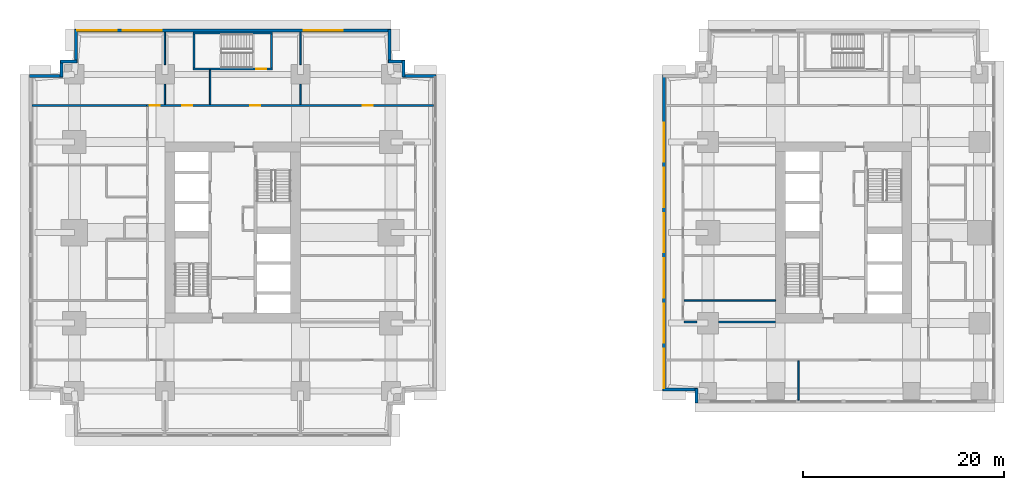
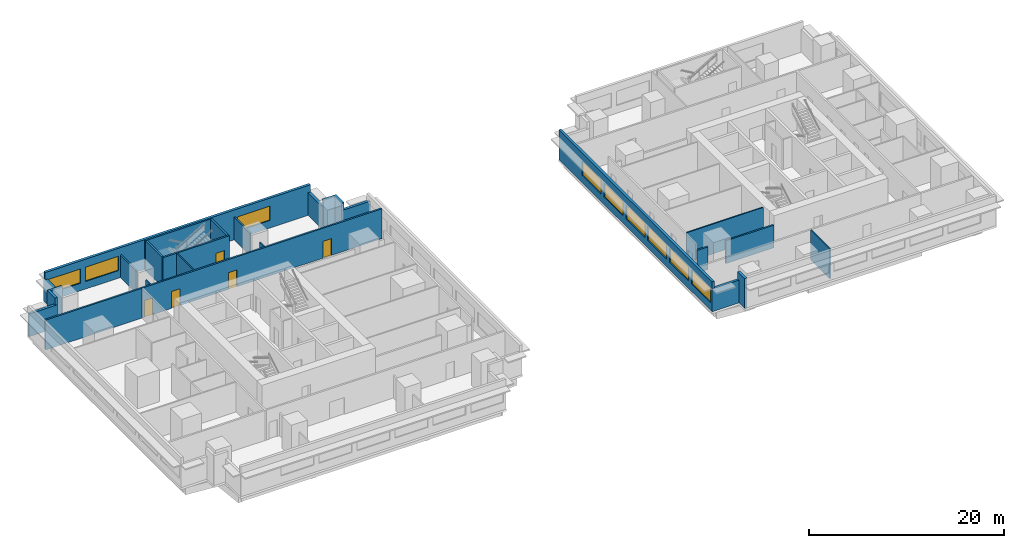
# One storey, part 5 of 11: 27 walls, 9 windows, 5 doors, 14 openings.
"""IFC4 building model written with IfcOpenShell, lengths in metres."""

from ifc_helpers import new_model, si_unit, direction, frame, frame_2d, origin, place, context, subcontext, project, spatial, rectangle, extrude, material, layer, layer_set, type_object, element, fill, save


model = new_model("IFC4")

# Units and contexts
model_context = context("Model", 3, precision=1e-05, world=origin(), true_north=direction((0.0, 1.0)))
body_context = subcontext(model_context, "Body", "Model", "MODEL_VIEW")
ifc_project = project(units=[si_unit("LENGTHUNIT", "METRE"), si_unit("AREAUNIT", "SQUARE_METRE"), si_unit("VOLUMEUNIT", "CUBIC_METRE"), si_unit("PLANEANGLEUNIT", "RADIAN"), si_unit("MASSUNIT", "GRAM", prefix="KILO")], contexts=[model_context])

# Site, building, storey
site_placement = place(None, origin())
site = spatial("IfcSite", under=ifc_project, at=site_placement, CompositionType="ELEMENT")
building_placement = place(site_placement, origin())
building = spatial("IfcBuilding", under=site, at=building_placement, Name="Namib Vertical Campus", CompositionType="ELEMENT")
storey_placement = place(building_placement, frame((0.0, 0.0, 93.0)))
storey = spatial("IfcBuildingStorey", under=building, at=storey_placement, Name="L21", CompositionType="ELEMENT", Elevation=93.0)

# Wall, openings, doors
ifc_material_1 = material(Name="Concrete masonry", Category="masonry")
ifc_layer_1 = layer(ifc_material_1, 0.199951171875)
ifc_layer_set_1 = layer_set([ifc_layer_1], Name="Corridor wall 200")
wall_type_1 = type_object("IfcWallType", Name="Corridor wall 200", PredefinedType="SOLIDWALL", material=ifc_layer_set_1)
wall_1_placement = place(storey_placement, frame((40.199951171875, 32.89990234375, 0.0), z_axis=(0.0, 0.0, 1.0), x_axis=(-1.0, 0.0, 0.0)))
wall_1 = element("IfcWall", 1, at=wall_1_placement, inside=storey, type_object=wall_type_1, Name="Corridor wall A L21 CN", PredefinedType="SOLIDWALL", context=body_context, shape_type="SweptSolid", body=[
    extrude(rectangle(XDim=28.5, YDim=0.199951171875, at=frame_2d((14.25, 0.0))), origin(), (0.0, 0.0, 1.0), 3.75),
])
opening_1_placement = place(wall_1_placement, frame((27.199951171875, 0.0, 0.0)))
opening_1 = element("IfcOpeningElement", 2, at=opening_1_placement, cuts=wall_1, Name="Opening CD1", PredefinedType="OPENING", context=body_context, shape_type="SweptSolid", body=[
    extrude(rectangle(XDim=1.0, YDim=2.10009765625, at=frame_2d((0.5, 1.050048828125))), frame((0.0, 0.10986328125, 0.0), z_axis=(0.0, -1.0, 0.0), x_axis=(1.0, 0.0, 0.0)), (0.0, 0.0, 1.0), 0.219970703125),
])
opening_2_placement = place(wall_1_placement, frame((23.949951171875, 0.0, 0.0)))
opening_2 = element("IfcOpeningElement", 3, at=opening_2_placement, cuts=wall_1, Name="Opening CD1", PredefinedType="OPENING", context=body_context, shape_type="SweptSolid", body=[
    extrude(rectangle(XDim=1.0, YDim=2.10009765625, at=frame_2d((0.5, 1.050048828125))), frame((0.0, 0.10986328125, 0.0), z_axis=(0.0, -1.0, 0.0), x_axis=(1.0, 0.0, 0.0)), (0.0, 0.0, 1.0), 0.219970703125),
])
opening_3_placement = place(wall_1_placement, frame((17.199951171875, 0.0, 0.0)))
opening_3 = element("IfcOpeningElement", 4, at=opening_3_placement, cuts=wall_1, Name="Opening CD1", PredefinedType="OPENING", context=body_context, shape_type="SweptSolid", body=[
    extrude(rectangle(XDim=1.0, YDim=2.10009765625, at=frame_2d((0.5, 1.050048828125))), frame((0.0, 0.10986328125, 0.0), z_axis=(0.0, -1.0, 0.0), x_axis=(1.0, 0.0, 0.0)), (0.0, 0.0, 1.0), 0.219970703125),
])
opening_4_placement = place(wall_1_placement, frame((6.0, 0.0, 0.0)))
opening_4 = element("IfcOpeningElement", 5, at=opening_4_placement, cuts=wall_1, Name="Opening CD1", PredefinedType="OPENING", context=body_context, shape_type="SweptSolid", body=[
    extrude(rectangle(XDim=1.0, YDim=2.10009765625, at=frame_2d((0.5, 1.050048828125))), frame((0.0, 0.10986328125, 0.0), z_axis=(0.0, -1.0, 0.0), x_axis=(1.0, 0.0, 0.0)), (0.0, 0.0, 1.0), 0.219970703125),
])
ifc_material_2 = material(Name="Timber fire door leaf", Category="wood")
door_type_1 = type_object("IfcDoorType", Name="Corridor door 1000x2100 20 min", OperationType="SINGLE_SWING_LEFT", PredefinedType="DOOR", material=ifc_material_2)
door_1_placement = place(opening_1_placement, frame((1.0, 0.0, 0.0), z_axis=(0.0, 0.0, 1.0), x_axis=(-1.0, 0.0, 0.0)))
door_1 = element("IfcDoor", 6, at=door_1_placement, inside=storey, type_object=door_type_1, Name="Door CD1 A21-09", OperationType="SINGLE_SWING_RIGHT", OverallHeight=2.10009765625, OverallWidth=1.0, PredefinedType="DOOR", context=body_context, shape_type="SweptSolid", body=[
    extrude(rectangle(XDim=1.0, YDim=2.10009765625, at=frame_2d((0.5, 1.050048828125))), frame((0.0, 0.02490234375, 0.0), z_axis=(0.0, -1.0, 0.0), x_axis=(1.0, 0.0, 0.0)), (0.0, 0.0, 1.0), 0.050048828125),
])
fill(opening_1, door_1)
door_2_placement = place(opening_2_placement, frame((1.0, 0.0, 0.0), z_axis=(0.0, 0.0, 1.0), x_axis=(-1.0, 0.0, 0.0)))
door_2 = element("IfcDoor", 7, at=door_2_placement, inside=storey, type_object=door_type_1, Name="Door CD1 A21-10", OperationType="SINGLE_SWING_RIGHT", OverallHeight=2.10009765625, OverallWidth=1.0, PredefinedType="DOOR", context=body_context, shape_type="SweptSolid", body=[
    extrude(rectangle(XDim=1.0, YDim=2.10009765625, at=frame_2d((0.5, 1.050048828125))), frame((0.0, 0.02490234375, 0.0), z_axis=(0.0, -1.0, 0.0), x_axis=(1.0, 0.0, 0.0)), (0.0, 0.0, 1.0), 0.050048828125),
])
fill(opening_2, door_2)
door_3_placement = place(opening_3_placement, frame((1.0, 0.0, 0.0), z_axis=(0.0, 0.0, 1.0), x_axis=(-1.0, 0.0, 0.0)))
door_3 = element("IfcDoor", 8, at=door_3_placement, inside=storey, type_object=door_type_1, Name="Door CD1 A21-11", OperationType="SINGLE_SWING_RIGHT", OverallHeight=2.10009765625, OverallWidth=1.0, PredefinedType="DOOR", context=body_context, shape_type="SweptSolid", body=[
    extrude(rectangle(XDim=1.0, YDim=2.10009765625, at=frame_2d((0.5, 1.050048828125))), frame((0.0, 0.02490234375, 0.0), z_axis=(0.0, -1.0, 0.0), x_axis=(1.0, 0.0, 0.0)), (0.0, 0.0, 1.0), 0.050048828125),
])
fill(opening_3, door_3)
door_4_placement = place(opening_4_placement, frame((1.0, 0.0, 0.0), z_axis=(0.0, 0.0, 1.0), x_axis=(-1.0, 0.0, 0.0)))
door_4 = element("IfcDoor", 9, at=door_4_placement, inside=storey, type_object=door_type_1, Name="Door CD1 A21-12", OperationType="SINGLE_SWING_LEFT", OverallHeight=2.10009765625, OverallWidth=1.0, PredefinedType="DOOR", context=body_context, shape_type="SweptSolid", body=[
    extrude(rectangle(XDim=1.0, YDim=2.10009765625, at=frame_2d((0.5, 1.050048828125))), frame((0.0, 0.02490234375, 0.0), z_axis=(0.0, -1.0, 0.0), x_axis=(1.0, 0.0, 0.0)), (0.0, 0.0, 1.0), 0.050048828125),
])
fill(opening_4, door_4)

# Walls
wall_2_placement = place(storey_placement, frame((0.300048828125, 32.89990234375, 0.0), z_axis=(0.0, 0.0, 1.0), x_axis=(1.0, 0.0, 0.0)))
element("IfcWall", 10, at=wall_2_placement, inside=storey, type_object=wall_type_1, Name="Partition A L21 BNW", PredefinedType="SOLIDWALL", context=body_context, shape_type="SweptSolid", body=[
    extrude(rectangle(XDim=11.39990234375, YDim=0.199951171875, at=frame_2d((5.699951171875, 0.0))), origin(), (0.0, 0.0, 1.0), 3.75),
])
wall_3_placement = place(storey_placement, frame((65.14990234375, 11.35009765625, 0.0), z_axis=(0.0, 0.0, 1.0), x_axis=(1.0, 0.0, 0.0)))
element("IfcWall", 11, at=wall_3_placement, inside=storey, type_object=wall_type_1, Name="Corridor wall B L21 GS", PredefinedType="SOLIDWALL", context=body_context, shape_type="SweptSolid", body=[
    extrude(rectangle(XDim=1.280029296875, YDim=0.199951171875, at=frame_2d((0.64013671875, 0.0))), origin(), (0.0, 0.0, 1.0), 2.85009765625),
])
wall_4_placement = place(storey_placement, frame((68.570068359375, 11.35009765625, 0.0), z_axis=(0.0, 0.0, 1.0), x_axis=(1.0, 0.0, 0.0)))
element("IfcWall", 12, at=wall_4_placement, inside=storey, type_object=wall_type_1, Name="Corridor wall B L21 GS", PredefinedType="SOLIDWALL", context=body_context, shape_type="SweptSolid", body=[
    extrude(rectangle(XDim=5.679931640625, YDim=0.199951171875, at=frame_2d((2.83984375, 0.0))), origin(), (0.0, 0.0, 1.0), 2.85009765625),
])
ifc_material_3 = material(Name="Concrete C40/50", Category="concrete")
ifc_layer_2 = layer(ifc_material_3, 0.300048828125)
ifc_layer_set_2 = layer_set([ifc_layer_2], Name="Concrete C40/50")
wall_type_2 = type_object("IfcWallType", Name="External wall 300 board-marked concrete", PredefinedType="STANDARD", material=ifc_layer_set_2)
wall_5_placement = place(storey_placement, frame((40.47998046875, 35.85009765625, 0.0), z_axis=(0.0, 0.0, 1.0), x_axis=(-1.0, 0.0, 0.0)))
element("IfcWall", 13, at=wall_5_placement, inside=storey, type_object=wall_type_2, Name="External wall L21 F07", PredefinedType="STANDARD", context=body_context, shape_type="SweptSolid", body=[
    extrude(rectangle(XDim=3.35986328125, YDim=0.300048828125, at=frame_2d((1.679931640625, 0.0))), origin(), (0.0, 0.0, 1.0), 2.85009765625),
])
for number, where, z_axis, x_axis, name in (
    (14, (37.25, 35.719970703125, 0.0), (0.0, 0.0, 1.0), (0.0, 1.0, 0.0), "External wall L21 F08"),
    (15, (37.3798828125, 37.25, 0.0), (0.0, 0.0, 1.0), (-1.0, 0.0, 0.0), "External wall L21 F09"),
):
    element("IfcWall", number, at=place(storey_placement, frame(where, z_axis=z_axis, x_axis=x_axis)), inside=storey, type_object=wall_type_2, Name=name, PredefinedType="STANDARD", context=body_context, shape_type="SweptSolid", body=[
        extrude(rectangle(XDim=1.659912109375, YDim=0.300048828125, at=frame_2d((0.830078125, 0.0))), origin(), (0.0, 0.0, 1.0), 3.75),
    ])
wall_6_placement = place(storey_placement, frame((35.85009765625, 37.1201171875, 0.0), z_axis=(0.0, 0.0, 1.0), x_axis=(0.0, 1.0, 0.0)))
element("IfcWall", 16, at=wall_6_placement, inside=storey, type_object=wall_type_2, Name="External wall L21 F10", PredefinedType="STANDARD", context=body_context, shape_type="SweptSolid", body=[
    extrude(rectangle(XDim=3.35986328125, YDim=0.300048828125, at=frame_2d((1.679931640625, 0.0))), origin(), (0.0, 0.0, 1.0), 2.85009765625),
])

# Wall, openings, windows
wall_7_placement = place(storey_placement, frame((35.97998046875, 40.35009765625, 0.0), z_axis=(0.0, 0.0, 1.0), x_axis=(-1.0, 0.0, 0.0)))
wall_7 = element("IfcWall", 17, at=wall_7_placement, inside=storey, type_object=wall_type_2, Name="External wall L21 F11", PredefinedType="STANDARD", context=body_context, shape_type="SweptSolid", body=[
    extrude(rectangle(XDim=31.4599609375, YDim=0.300048828125, at=frame_2d((15.72998046875, 0.0))), origin(), (0.0, 0.0, 1.0), 3.75),
])
opening_5_placement = place(wall_7_placement, frame((27.280029296875, 0.0, 0.949951171875)))
opening_5 = element("IfcOpeningElement", 18, at=opening_5_placement, cuts=wall_7, Name="Opening W3", PredefinedType="OPENING", context=body_context, shape_type="SweptSolid", body=[
    extrude(rectangle(XDim=3.89990234375, YDim=1.800048828125, at=frame_2d((1.949951171875, 0.89990234375))), frame((0.0, 0.159912109375, 0.0), z_axis=(0.0, -1.0, 0.0), x_axis=(1.0, 0.0, 0.0)), (0.0, 0.0, 1.0), 0.320068359375),
])
opening_6_placement = place(wall_7_placement, frame((22.780029296875, 0.0, 0.949951171875)))
opening_6 = element("IfcOpeningElement", 19, at=opening_6_placement, cuts=wall_7, Name="Opening W3", PredefinedType="OPENING", context=body_context, shape_type="SweptSolid", body=[
    extrude(rectangle(XDim=3.89990234375, YDim=1.800048828125, at=frame_2d((1.949951171875, 0.89990234375))), frame((0.0, 0.159912109375, 0.0), z_axis=(0.0, -1.0, 0.0), x_axis=(1.0, 0.0, 0.0)), (0.0, 0.0, 1.0), 0.320068359375),
])
opening_7_placement = place(wall_7_placement, frame((4.780029296875, 0.0, 0.949951171875)))
opening_7 = element("IfcOpeningElement", 20, at=opening_7_placement, cuts=wall_7, Name="Opening W3", PredefinedType="OPENING", context=body_context, shape_type="SweptSolid", body=[
    extrude(rectangle(XDim=3.89990234375, YDim=1.800048828125, at=frame_2d((1.949951171875, 0.89990234375))), frame((0.0, 0.159912109375, 0.0), z_axis=(0.0, -1.0, 0.0), x_axis=(1.0, 0.0, 0.0)), (0.0, 0.0, 1.0), 0.320068359375),
])
ifc_material_4 = material(Name="Dark tinted glass in black aluminium frame", Category="aluminium")
window_type = type_object("IfcWindowType", Name="Ribbon window 3900x1800", PartitioningType="SINGLE_PANEL", PredefinedType="WINDOW", material=ifc_material_4)
window_1_placement = place(opening_5_placement, origin())
window_1 = element("IfcWindow", 21, at=window_1_placement, inside=storey, type_object=window_type, Name="Window W3 L21 F11-1", OverallHeight=1.800048828125, OverallWidth=3.89990234375, PartitioningType="SINGLE_PANEL", PredefinedType="WINDOW", context=body_context, shape_type="SweptSolid", body=[
    extrude(rectangle(XDim=3.89990234375, YDim=1.800048828125, at=frame_2d((1.949951171875, 0.89990234375))), frame((0.0, 0.030029296875, 0.0), z_axis=(0.0, -1.0, 0.0), x_axis=(1.0, 0.0, 0.0)), (0.0, 0.0, 1.0), 0.06005859375),
])
fill(opening_5, window_1)
window_2_placement = place(opening_6_placement, origin())
window_2 = element("IfcWindow", 22, at=window_2_placement, inside=storey, type_object=window_type, Name="Window W3 L21 F11-2", OverallHeight=1.800048828125, OverallWidth=3.89990234375, PartitioningType="SINGLE_PANEL", PredefinedType="WINDOW", context=body_context, shape_type="SweptSolid", body=[
    extrude(rectangle(XDim=3.89990234375, YDim=1.800048828125, at=frame_2d((1.949951171875, 0.89990234375))), frame((0.0, 0.030029296875, 0.0), z_axis=(0.0, -1.0, 0.0), x_axis=(1.0, 0.0, 0.0)), (0.0, 0.0, 1.0), 0.06005859375),
])
fill(opening_6, window_2)
window_3_placement = place(opening_7_placement, origin())
window_3 = element("IfcWindow", 23, at=window_3_placement, inside=storey, type_object=window_type, Name="Window W3 L21 F11-6", OverallHeight=1.800048828125, OverallWidth=3.89990234375, PartitioningType="SINGLE_PANEL", PredefinedType="WINDOW", context=body_context, shape_type="SweptSolid", body=[
    extrude(rectangle(XDim=3.89990234375, YDim=1.800048828125, at=frame_2d((1.949951171875, 0.89990234375))), frame((0.0, 0.030029296875, 0.0), z_axis=(0.0, -1.0, 0.0), x_axis=(1.0, 0.0, 0.0)), (0.0, 0.0, 1.0), 0.06005859375),
])
fill(opening_7, window_3)

# Walls
wall_8_placement = place(storey_placement, frame((4.64990234375, 40.47998046875, 0.0), z_axis=(0.0, 0.0, 1.0), x_axis=(0.0, -1.0, 0.0)))
element("IfcWall", 24, at=wall_8_placement, inside=storey, type_object=wall_type_2, Name="External wall L21 F12", PredefinedType="STANDARD", context=body_context, shape_type="SweptSolid", body=[
    extrude(rectangle(XDim=3.35986328125, YDim=0.300048828125, at=frame_2d((1.679931640625, 0.0))), origin(), (0.0, 0.0, 1.0), 2.85009765625),
])
for number, where, z_axis, x_axis, name in (
    (25, (4.780029296875, 37.25, 0.0), (0.0, 0.0, 1.0), (-1.0, 0.0, 0.0), "External wall L21 F13"),
    (26, (3.25, 37.3798828125, 0.0), (0.0, 0.0, 1.0), (0.0, -1.0, 0.0), "External wall L21 F14"),
):
    element("IfcWall", number, at=place(storey_placement, frame(where, z_axis=z_axis, x_axis=x_axis)), inside=storey, type_object=wall_type_2, Name=name, PredefinedType="STANDARD", context=body_context, shape_type="SweptSolid", body=[
        extrude(rectangle(XDim=1.659912109375, YDim=0.300048828125, at=frame_2d((0.830078125, 0.0))), origin(), (0.0, 0.0, 1.0), 3.75),
    ])
wall_9_placement = place(storey_placement, frame((3.3798828125, 35.85009765625, 0.0), z_axis=(0.0, 0.0, 1.0), x_axis=(-1.0, 0.0, 0.0)))
element("IfcWall", 27, at=wall_9_placement, inside=storey, type_object=wall_type_2, Name="External wall L21 F15", PredefinedType="STANDARD", context=body_context, shape_type="SweptSolid", body=[
    extrude(rectangle(XDim=3.35986328125, YDim=0.300048828125, at=frame_2d((1.679931640625, 0.0))), origin(), (0.0, 0.0, 1.0), 2.85009765625),
])
wall_10_placement = place(storey_placement, frame((63.02001953125, 4.64990234375, 0.0), z_axis=(0.0, 0.0, 1.0), x_axis=(1.0, 0.0, 0.0)))
element("IfcWall", 28, at=wall_10_placement, inside=storey, type_object=wall_type_2, Name="External wall L21 F01", PredefinedType="STANDARD", context=body_context, shape_type="SweptSolid", body=[
    extrude(rectangle(XDim=3.4599609375, YDim=0.300048828125, at=frame_2d((1.72998046875, 0.0))), origin(), (0.0, 0.0, 1.0), 2.85009765625),
])
wall_11_placement = place(storey_placement, frame((66.35009765625, 4.780029296875, 0.0), z_axis=(0.0, 0.0, 1.0), x_axis=(0.0, -1.0, 0.0)))
element("IfcWall", 29, at=wall_11_placement, inside=storey, type_object=wall_type_2, Name="External wall L21 F02", PredefinedType="STANDARD", context=body_context, shape_type="SweptSolid", body=[
    extrude(rectangle(XDim=1.4599609375, YDim=0.300048828125, at=frame_2d((0.72998046875, 0.0))), origin(), (0.0, 0.0, 1.0), 3.75),
])

# Wall, openings, windows
wall_12_placement = place(storey_placement, frame((63.14990234375, 35.97998046875, 0.0), z_axis=(0.0, 0.0, 1.0), x_axis=(0.0, -1.0, 0.0)))
wall_12 = element("IfcWall", 30, at=wall_12_placement, inside=storey, type_object=wall_type_2, Name="External wall L21 F12", PredefinedType="STANDARD", context=body_context, shape_type="SweptSolid", body=[
    extrude(rectangle(XDim=31.4599609375, YDim=0.300048828125, at=frame_2d((15.72998046875, 0.0))), origin(), (0.0, 0.0, 1.0), 3.75),
])
opening_8_placement = place(wall_12_placement, frame((27.280029296875, 0.0, 0.949951171875)))
opening_8 = element("IfcOpeningElement", 31, at=opening_8_placement, cuts=wall_12, Name="Opening W3", PredefinedType="OPENING", context=body_context, shape_type="SweptSolid", body=[
    extrude(rectangle(XDim=3.89990234375, YDim=1.800048828125, at=frame_2d((1.949951171875, 0.89990234375))), frame((0.0, 0.159912109375, 0.0), z_axis=(0.0, -1.0, 0.0), x_axis=(1.0, 0.0, 0.0)), (0.0, 0.0, 1.0), 0.320068359375),
])
opening_9_placement = place(wall_12_placement, frame((22.780029296875, 0.0, 0.949951171875)))
opening_9 = element("IfcOpeningElement", 32, at=opening_9_placement, cuts=wall_12, Name="Opening W3", PredefinedType="OPENING", context=body_context, shape_type="SweptSolid", body=[
    extrude(rectangle(XDim=3.89990234375, YDim=1.800048828125, at=frame_2d((1.949951171875, 0.89990234375))), frame((0.0, 0.159912109375, 0.0), z_axis=(0.0, -1.0, 0.0), x_axis=(1.0, 0.0, 0.0)), (0.0, 0.0, 1.0), 0.320068359375),
])
opening_10_placement = place(wall_12_placement, frame((18.280029296875, 0.0, 0.949951171875)))
opening_10 = element("IfcOpeningElement", 33, at=opening_10_placement, cuts=wall_12, Name="Opening W3", PredefinedType="OPENING", context=body_context, shape_type="SweptSolid", body=[
    extrude(rectangle(XDim=3.89990234375, YDim=1.800048828125, at=frame_2d((1.949951171875, 0.89990234375))), frame((0.0, 0.159912109375, 0.0), z_axis=(0.0, -1.0, 0.0), x_axis=(1.0, 0.0, 0.0)), (0.0, 0.0, 1.0), 0.320068359375),
])
opening_11_placement = place(wall_12_placement, frame((13.780029296875, 0.0, 0.949951171875)))
opening_11 = element("IfcOpeningElement", 34, at=opening_11_placement, cuts=wall_12, Name="Opening W3", PredefinedType="OPENING", context=body_context, shape_type="SweptSolid", body=[
    extrude(rectangle(XDim=3.89990234375, YDim=1.800048828125, at=frame_2d((1.949951171875, 0.89990234375))), frame((0.0, 0.159912109375, 0.0), z_axis=(0.0, -1.0, 0.0), x_axis=(1.0, 0.0, 0.0)), (0.0, 0.0, 1.0), 0.320068359375),
])
opening_12_placement = place(wall_12_placement, frame((9.280029296875, 0.0, 0.949951171875)))
opening_12 = element("IfcOpeningElement", 35, at=opening_12_placement, cuts=wall_12, Name="Opening W3", PredefinedType="OPENING", context=body_context, shape_type="SweptSolid", body=[
    extrude(rectangle(XDim=3.89990234375, YDim=1.800048828125, at=frame_2d((1.949951171875, 0.89990234375))), frame((0.0, 0.159912109375, 0.0), z_axis=(0.0, -1.0, 0.0), x_axis=(1.0, 0.0, 0.0)), (0.0, 0.0, 1.0), 0.320068359375),
])
opening_13_placement = place(wall_12_placement, frame((4.780029296875, 0.0, 0.949951171875)))
opening_13 = element("IfcOpeningElement", 36, at=opening_13_placement, cuts=wall_12, Name="Opening W3", PredefinedType="OPENING", context=body_context, shape_type="SweptSolid", body=[
    extrude(rectangle(XDim=3.89990234375, YDim=1.800048828125, at=frame_2d((1.949951171875, 0.89990234375))), frame((0.0, 0.159912109375, 0.0), z_axis=(0.0, -1.0, 0.0), x_axis=(1.0, 0.0, 0.0)), (0.0, 0.0, 1.0), 0.320068359375),
])
window_4_placement = place(opening_8_placement, origin())
window_4 = element("IfcWindow", 37, at=window_4_placement, inside=storey, type_object=window_type, Name="Window W3 L21 F12-1", OverallHeight=1.800048828125, OverallWidth=3.89990234375, PartitioningType="SINGLE_PANEL", PredefinedType="WINDOW", context=body_context, shape_type="SweptSolid", body=[
    extrude(rectangle(XDim=3.89990234375, YDim=1.800048828125, at=frame_2d((1.949951171875, 0.89990234375))), frame((0.0, 0.030029296875, 0.0), z_axis=(0.0, -1.0, 0.0), x_axis=(1.0, 0.0, 0.0)), (0.0, 0.0, 1.0), 0.06005859375),
])
fill(opening_8, window_4)
window_5_placement = place(opening_9_placement, origin())
window_5 = element("IfcWindow", 38, at=window_5_placement, inside=storey, type_object=window_type, Name="Window W3 L21 F12-2", OverallHeight=1.800048828125, OverallWidth=3.89990234375, PartitioningType="SINGLE_PANEL", PredefinedType="WINDOW", context=body_context, shape_type="SweptSolid", body=[
    extrude(rectangle(XDim=3.89990234375, YDim=1.800048828125, at=frame_2d((1.949951171875, 0.89990234375))), frame((0.0, 0.030029296875, 0.0), z_axis=(0.0, -1.0, 0.0), x_axis=(1.0, 0.0, 0.0)), (0.0, 0.0, 1.0), 0.06005859375),
])
fill(opening_9, window_5)
window_6_placement = place(opening_10_placement, origin())
window_6 = element("IfcWindow", 39, at=window_6_placement, inside=storey, type_object=window_type, Name="Window W3 L21 F12-3", OverallHeight=1.800048828125, OverallWidth=3.89990234375, PartitioningType="SINGLE_PANEL", PredefinedType="WINDOW", context=body_context, shape_type="SweptSolid", body=[
    extrude(rectangle(XDim=3.89990234375, YDim=1.800048828125, at=frame_2d((1.949951171875, 0.89990234375))), frame((0.0, 0.030029296875, 0.0), z_axis=(0.0, -1.0, 0.0), x_axis=(1.0, 0.0, 0.0)), (0.0, 0.0, 1.0), 0.06005859375),
])
fill(opening_10, window_6)
window_7_placement = place(opening_11_placement, origin())
window_7 = element("IfcWindow", 40, at=window_7_placement, inside=storey, type_object=window_type, Name="Window W3 L21 F12-4", OverallHeight=1.800048828125, OverallWidth=3.89990234375, PartitioningType="SINGLE_PANEL", PredefinedType="WINDOW", context=body_context, shape_type="SweptSolid", body=[
    extrude(rectangle(XDim=3.89990234375, YDim=1.800048828125, at=frame_2d((1.949951171875, 0.89990234375))), frame((0.0, 0.030029296875, 0.0), z_axis=(0.0, -1.0, 0.0), x_axis=(1.0, 0.0, 0.0)), (0.0, 0.0, 1.0), 0.06005859375),
])
fill(opening_11, window_7)
window_8_placement = place(opening_12_placement, origin())
window_8 = element("IfcWindow", 41, at=window_8_placement, inside=storey, type_object=window_type, Name="Window W3 L21 F12-5", OverallHeight=1.800048828125, OverallWidth=3.89990234375, PartitioningType="SINGLE_PANEL", PredefinedType="WINDOW", context=body_context, shape_type="SweptSolid", body=[
    extrude(rectangle(XDim=3.89990234375, YDim=1.800048828125, at=frame_2d((1.949951171875, 0.89990234375))), frame((0.0, 0.030029296875, 0.0), z_axis=(0.0, -1.0, 0.0), x_axis=(1.0, 0.0, 0.0)), (0.0, 0.0, 1.0), 0.06005859375),
])
fill(opening_12, window_8)
window_9_placement = place(opening_13_placement, origin())
window_9 = element("IfcWindow", 42, at=window_9_placement, inside=storey, type_object=window_type, Name="Window W3 L21 F12-6", OverallHeight=1.800048828125, OverallWidth=3.89990234375, PartitioningType="SINGLE_PANEL", PredefinedType="WINDOW", context=body_context, shape_type="SweptSolid", body=[
    extrude(rectangle(XDim=3.89990234375, YDim=1.800048828125, at=frame_2d((1.949951171875, 0.89990234375))), frame((0.0, 0.030029296875, 0.0), z_axis=(0.0, -1.0, 0.0), x_axis=(1.0, 0.0, 0.0)), (0.0, 0.0, 1.0), 0.06005859375),
])
fill(opening_13, window_9)

# Walls
ifc_material_5 = material(Name="Gypsum board on steel studs", Category="steel")
ifc_layer_3 = layer(ifc_material_5, 0.14990234375)
ifc_layer_set_3 = layer_set([ifc_layer_3], Name="Gypsum board on steel studs")
wall_type_3 = type_object("IfcWallType", Name="Partition 150", PredefinedType="PARTITIONING", material=ifc_layer_set_3)
wall_13_placement = place(storey_placement, frame((13.5, 33.0, 0.0), z_axis=(0.0, 0.0, 1.0), x_axis=(0.0, 1.0, 0.0)))
element("IfcWall", 43, at=wall_13_placement, inside=storey, type_object=wall_type_3, Name="Partition A L21 PN1", PredefinedType="PARTITIONING", context=body_context, shape_type="SweptSolid", body=[
    extrude(rectangle(XDim=2.030029296875, YDim=0.14990234375, at=frame_2d((1.01513671875, 0.0))), origin(), (0.0, 0.0, 1.0), 2.85009765625),
])
wall_14_placement = place(storey_placement, frame((13.5, 36.969970703125, 0.0), z_axis=(0.0, 0.0, 1.0), x_axis=(0.0, 1.0, 0.0)))
element("IfcWall", 44, at=wall_14_placement, inside=storey, type_object=wall_type_3, Name="Partition A L21 PN1", PredefinedType="PARTITIONING", context=body_context, shape_type="SweptSolid", body=[
    extrude(rectangle(XDim=3.22998046875, YDim=0.14990234375, at=frame_2d((1.614990234375, 0.0))), origin(), (0.0, 0.0, 1.0), 2.85009765625),
])
wall_15_placement = place(storey_placement, frame((18.0, 33.0, 0.0), z_axis=(0.0, 0.0, 1.0), x_axis=(0.0, 1.0, 0.0)))
element("IfcWall", 45, at=wall_15_placement, inside=storey, type_object=wall_type_3, Name="Partition A L21 PN2", PredefinedType="PARTITIONING", context=body_context, shape_type="SweptSolid", body=[
    extrude(rectangle(XDim=3.449951171875, YDim=0.14990234375, at=frame_2d((1.72509765625, 0.0))), origin(), (0.0, 0.0, 1.0), 3.75),
])
wall_16_placement = place(storey_placement, frame((27.0, 33.0, 0.0), z_axis=(0.0, 0.0, 1.0), x_axis=(0.0, 1.0, 0.0)))
element("IfcWall", 46, at=wall_16_placement, inside=storey, type_object=wall_type_3, Name="Partition A L21 PN3", PredefinedType="PARTITIONING", context=body_context, shape_type="SweptSolid", body=[
    extrude(rectangle(XDim=2.030029296875, YDim=0.14990234375, at=frame_2d((1.01513671875, 0.0))), origin(), (0.0, 0.0, 1.0), 2.85009765625),
])
wall_17_placement = place(storey_placement, frame((27.0, 36.969970703125, 0.0), z_axis=(0.0, 0.0, 1.0), x_axis=(0.0, 1.0, 0.0)))
element("IfcWall", 47, at=wall_17_placement, inside=storey, type_object=wall_type_3, Name="Partition A L21 PN3", PredefinedType="PARTITIONING", context=body_context, shape_type="SweptSolid", body=[
    extrude(rectangle(XDim=3.22998046875, YDim=0.14990234375, at=frame_2d((1.614990234375, 0.0))), origin(), (0.0, 0.0, 1.0), 2.85009765625),
])
wall_18_placement = place(storey_placement, frame((76.5, 3.60009765625, 0.0), z_axis=(0.0, 0.0, 1.0), x_axis=(0.0, 1.0, 0.0)))
element("IfcWall", 48, at=wall_18_placement, inside=storey, type_object=wall_type_3, Name="Partition B L21 PS1", PredefinedType="PARTITIONING", context=body_context, shape_type="SweptSolid", body=[
    extrude(rectangle(XDim=3.89990234375, YDim=0.14990234375, at=frame_2d((1.949951171875, 0.0))), origin(), (0.0, 0.0, 1.0), 3.75),
])
wall_19_placement = place(storey_placement, frame((65.14990234375, 13.5, 0.0), z_axis=(0.0, 0.0, 1.0), x_axis=(1.0, 0.0, 0.0)))
element("IfcWall", 49, at=wall_19_placement, inside=storey, type_object=wall_type_3, Name="Partition B L21 PW1", PredefinedType="PARTITIONING", context=body_context, shape_type="SweptSolid", body=[
    extrude(rectangle(XDim=9.10009765625, YDim=0.14990234375, at=frame_2d((4.550048828125, 0.0))), origin(), (0.0, 0.0, 1.0), 3.75),
])

# Wall, opening, door
ifc_material_6 = material(Name="Concrete C40/50", Category="concrete")
ifc_layer_4 = layer(ifc_material_6, 0.199951171875)
ifc_layer_set_4 = layer_set([ifc_layer_4], Name="Concrete C40/50")
wall_type_4 = type_object("IfcWallType", Name="Stair enclosure wall RC 200", PredefinedType="SOLIDWALL", material=ifc_layer_set_4)
wall_20_placement = place(storey_placement, frame((16.300048828125, 36.550048828125, 0.0), z_axis=(0.0, 0.0, 1.0), x_axis=(1.0, 0.0, 0.0)))
wall_20 = element("IfcWall", 50, at=wall_20_placement, inside=storey, type_object=wall_type_4, Name="Stair enclosure wall A-S3 L21 S", PredefinedType="SOLIDWALL", context=body_context, shape_type="SweptSolid", body=[
    extrude(rectangle(XDim=7.89990234375, YDim=0.199951171875, at=frame_2d((3.949951171875, 0.0))), origin(), (0.0, 0.0, 1.0), 3.75),
])
opening_14_placement = place(wall_20_placement, frame((6.300048828125, 0.0, 0.0)))
opening_14 = element("IfcOpeningElement", 51, at=opening_14_placement, cuts=wall_20, Name="Opening FD1", PredefinedType="OPENING", context=body_context, shape_type="SweptSolid", body=[
    extrude(rectangle(XDim=1.0, YDim=2.10009765625, at=frame_2d((0.5, 1.050048828125))), frame((0.0, 0.10986328125, 0.0), z_axis=(0.0, -1.0, 0.0), x_axis=(1.0, 0.0, 0.0)), (0.0, 0.0, 1.0), 0.219970703125),
])
ifc_material_7 = material(Name="Steel fire door", Category="steel")
door_type_2 = type_object("IfcDoorType", Name="Fire door 1000x2100", OperationType="SINGLE_SWING_RIGHT", PredefinedType="DOOR", material=ifc_material_7)
door_5_placement = place(opening_14_placement, origin())
door_5 = element("IfcDoor", 52, at=door_5_placement, inside=storey, type_object=door_type_2, Name="Stair door FD1 A L21 S3", OperationType="SINGLE_SWING_RIGHT", OverallHeight=2.10009765625, OverallWidth=1.0, PredefinedType="DOOR", context=body_context, shape_type="SweptSolid", body=[
    extrude(rectangle(XDim=1.0, YDim=2.10009765625, at=frame_2d((0.5, 1.050048828125))), frame((0.0, 0.02490234375, 0.0), z_axis=(0.0, -1.0, 0.0), x_axis=(1.0, 0.0, 0.0)), (0.0, 0.0, 1.0), 0.050048828125),
])
fill(opening_14, door_5)

# Walls
wall_21_placement = place(storey_placement, frame((16.300048828125, 40.10009765625, 0.0), z_axis=(0.0, 0.0, 1.0), x_axis=(1.0, 0.0, 0.0)))
element("IfcWall", 53, at=wall_21_placement, inside=storey, type_object=wall_type_4, Name="Stair enclosure wall A-S3 L21 N", PredefinedType="SOLIDWALL", context=body_context, shape_type="SweptSolid", body=[
    extrude(rectangle(XDim=7.89990234375, YDim=0.199951171875, at=frame_2d((3.949951171875, 0.0))), origin(), (0.0, 0.0, 1.0), 3.75),
])
for number, where, z_axis, x_axis, name in (
    (54, (16.39990234375, 36.64990234375, 0.0), (0.0, 0.0, 1.0), (0.0, 1.0, 0.0), "Stair enclosure wall A-S3 L21 W"),
    (55, (24.10009765625, 36.64990234375, 0.0), (0.0, 0.0, 1.0), (0.0, 1.0, 0.0), "Stair enclosure wall A-S3 L21 E"),
):
    element("IfcWall", number, at=place(storey_placement, frame(where, z_axis=z_axis, x_axis=x_axis)), inside=storey, type_object=wall_type_4, Name=name, PredefinedType="SOLIDWALL", context=body_context, shape_type="SweptSolid", body=[
        extrude(rectangle(XDim=3.35009765625, YDim=0.199951171875, at=frame_2d((1.675048828125, 0.0))), origin(), (0.0, 0.0, 1.0), 3.75),
    ])

save(model, "model.ifc")
